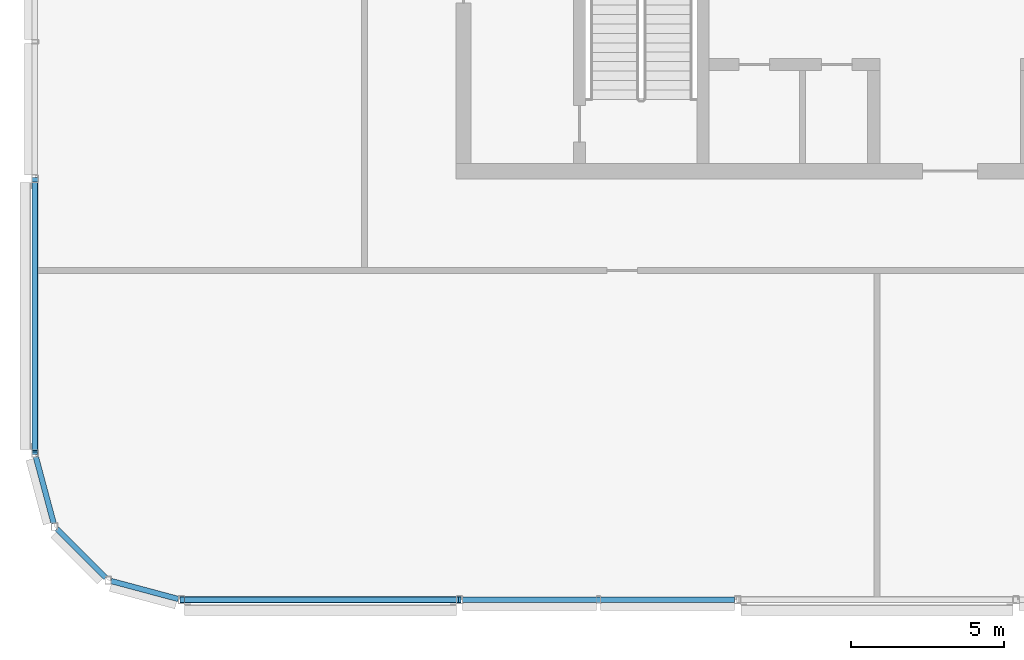
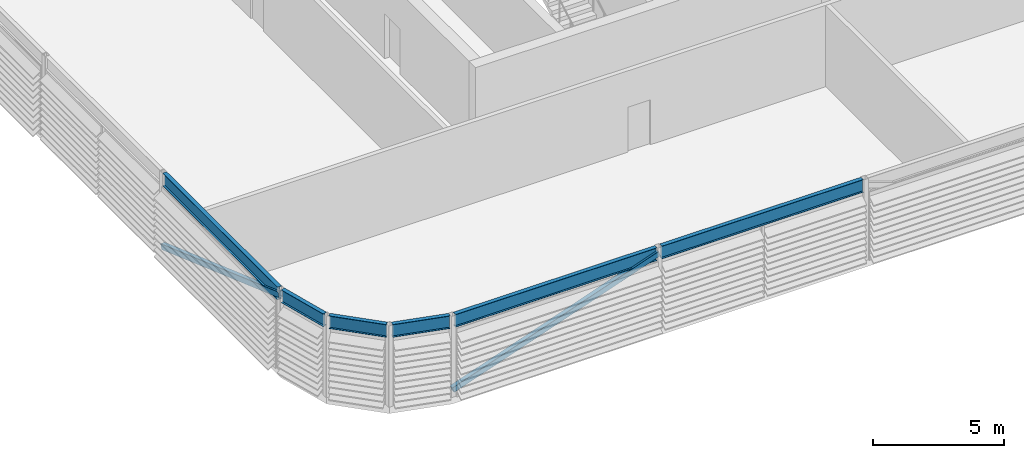
# One storey, part 5 of 28: 6 beams, 2 members.
"""IFC4 building model written with IfcOpenShell, lengths in metres."""

from ifc_helpers import new_model, si_unit, direction, frame, origin, origin_2d, place, context, subcontext, project, spatial, hollow_rectangle, i_section, extrude, material, material_profile, profile_set, type_object, element, save


model = new_model("IFC4")

# Units and contexts
model_context = context("Model", 3, precision=1e-05, world=origin(), true_north=direction((0.0, 1.0)))
body_context = subcontext(model_context, "Body", "Model", "MODEL_VIEW")
ifc_project = project(units=[si_unit("LENGTHUNIT", "METRE"), si_unit("AREAUNIT", "SQUARE_METRE"), si_unit("VOLUMEUNIT", "CUBIC_METRE"), si_unit("PLANEANGLEUNIT", "RADIAN"), si_unit("MASSUNIT", "GRAM", prefix="KILO")], contexts=[model_context])

# Site, building, storey
site_placement = place(None, origin())
site = spatial("IfcSite", under=ifc_project, at=site_placement, CompositionType="ELEMENT")
building_placement = place(site_placement, origin())
building = spatial("IfcBuilding", under=site, at=building_placement, Name="Madar Terraces", CompositionType="ELEMENT")
storey_placement = place(building_placement, frame((0.0, 0.0, 310.10009765625)))
storey = spatial("IfcBuildingStorey", under=building, at=storey_placement, Name="L80", CompositionType="ELEMENT", Elevation=310.10009765625)

# Beams
ifc_material_1 = material(Name="Steel ASTM A992 Grade 50", Category="steel")
ifc_material_profile_1 = material_profile(ifc_material_1, i_section(OverallWidth=0.1787109375, OverallDepth=0.60205078125, WebThickness=0.010986328125, FlangeThickness=0.014892578125, at=origin_2d()), Name="W24x62")
ifc_profile_set_1 = profile_set([ifc_material_profile_1], Name="Steel ASTM A992 Grade 50")
beam_type = type_object("IfcBeamType", Name="CF2 W24x62", PredefinedType="BEAM", material=ifc_profile_set_1)
for number, where, z_axis, x_axis, name in (
    (1, (6.1015625, 1.199951171875, 3.4990234375), (1.0, 0.0, 0.0), (0.0, 1.0, 0.0), "Crown frame ring beam CF2"),
    (2, (15.2216796875, 1.199951171875, 3.4990234375), (1.0, 0.0, 0.0), (0.0, 1.0, 0.0), "Crown frame ring beam CF2"),
):
    element("IfcBeam", number, at=place(storey_placement, frame(where, z_axis=z_axis, x_axis=x_axis)), inside=storey, type_object=beam_type, Name=name, PredefinedType="BEAM", context=body_context, shape_type="SweptSolid", body=[
        extrude(i_section(OverallWidth=0.1787109375, OverallDepth=0.60205078125, WebThickness=0.010986328125, FlangeThickness=0.014892578125, at=origin_2d()), origin(), (0.0, 0.0, 1.0), 8.916748046875),
    ])
beam_1_placement = place(storey_placement, frame((1.199951171875, 14.8984375, 3.4990234375), z_axis=(0.0, -1.0, 0.0), x_axis=(1.0, 0.0, 0.0)))
element("IfcBeam", 3, at=beam_1_placement, inside=storey, type_object=beam_type, Name="Crown frame ring beam CF2", PredefinedType="BEAM", context=body_context, shape_type="SweptSolid", body=[
    extrude(i_section(OverallWidth=0.1787109375, OverallDepth=0.60205078125, WebThickness=0.010986328125, FlangeThickness=0.014892578125, at=origin_2d()), origin(), (0.0, 0.0, 1.0), 8.796875),
])
beam_2_placement = place(storey_placement, frame((1.226318359375, 5.90185546875, 3.4990234375), z_axis=(0.258868028067, -0.965912700012, 0.0), x_axis=(0.965912700012, 0.258868028067, 0.0)))
element("IfcBeam", 4, at=beam_2_placement, inside=storey, type_object=beam_type, Name="Crown frame ring beam CF2", PredefinedType="BEAM", context=body_context, shape_type="SweptSolid", body=[
    extrude(i_section(OverallWidth=0.1787109375, OverallDepth=0.60205078125, WebThickness=0.010986328125, FlangeThickness=0.014892578125, at=origin_2d()), origin(), (0.0, 0.0, 1.0), 2.281494140625),
])
beam_3_placement = place(storey_placement, frame((1.9150390625, 3.528076171875, 3.4990234375), z_axis=(0.707106781187, -0.707106781187, 0.0), x_axis=(0.707106781187, 0.707106781187, 0.0)))
element("IfcBeam", 5, at=beam_3_placement, inside=storey, type_object=beam_type, Name="Crown frame ring beam CF2", PredefinedType="BEAM", context=body_context, shape_type="SweptSolid", body=[
    extrude(i_section(OverallWidth=0.1787109375, OverallDepth=0.60205078125, WebThickness=0.010986328125, FlangeThickness=0.014892578125, at=origin_2d()), origin(), (0.0, 0.0, 1.0), 2.28125),
])
beam_4_placement = place(storey_placement, frame((3.6982421875, 1.81689453125, 3.4990234375), z_axis=(0.965912700012, -0.258868028067, 0.0), x_axis=(0.258868028067, 0.965912700012, 0.0)))
element("IfcBeam", 6, at=beam_4_placement, inside=storey, type_object=beam_type, Name="Crown frame ring beam CF2", PredefinedType="BEAM", context=body_context, shape_type="SweptSolid", body=[
    extrude(i_section(OverallWidth=0.1787109375, OverallDepth=0.60205078125, WebThickness=0.010986328125, FlangeThickness=0.014892578125, at=origin_2d()), origin(), (0.0, 0.0, 1.0), 2.281494140625),
])

# Members
ifc_material_2 = material(Name="Steel ASTM A500 Grade C", Category="steel")
ifc_material_profile_2 = material_profile(ifc_material_2, hollow_rectangle(XDim=0.203125, YDim=0.25390625, WallThickness=0.009521484375, InnerFilletRadius=0.00439453125, OuterFilletRadius=0.01318359375, at=origin_2d()), Name="HSS10x8x.375")
ifc_profile_set_2 = profile_set([ifc_material_profile_2], Name="Steel ASTM A500 Grade C")
member_type = type_object("IfcMemberType", Name="CF5 crown frame brace HSS10x8x.375", PredefinedType="BRACE", material=ifc_profile_set_2)
member_1_placement = place(storey_placement, frame((6.0, 1.199951171875, 0.2998046875), z_axis=(0.943626561673, 0.0, 0.331011951605), x_axis=(0.0, 1.0, 0.0)))
element("IfcMember", 7, at=member_1_placement, inside=storey, type_object=member_type, Name="Crown frame brace CF5", PredefinedType="BRACE", context=body_context, shape_type="SweptSolid", body=[
    extrude(hollow_rectangle(XDim=0.203125, YDim=0.25390625, WallThickness=0.009521484375, InnerFilletRadius=0.00439453125, OuterFilletRadius=0.01318359375, at=origin_2d()), origin(), (0.0, 0.0, 1.0), 9.6650390625),
])
member_2_placement = place(storey_placement, frame((1.199951171875, 15.0, 0.2998046875), z_axis=(0.0, -0.942240505119, 0.334937054554), x_axis=(1.0, 0.0, 0.0)))
element("IfcMember", 8, at=member_2_placement, inside=storey, type_object=member_type, Name="Crown frame brace CF5", PredefinedType="BRACE", context=body_context, shape_type="SweptSolid", body=[
    extrude(hollow_rectangle(XDim=0.203125, YDim=0.25390625, WallThickness=0.009521484375, InnerFilletRadius=0.00439453125, OuterFilletRadius=0.01318359375, at=origin_2d()), origin(), (0.0, 0.0, 1.0), 9.5517578125),
])

save(model, "model.ifc")
